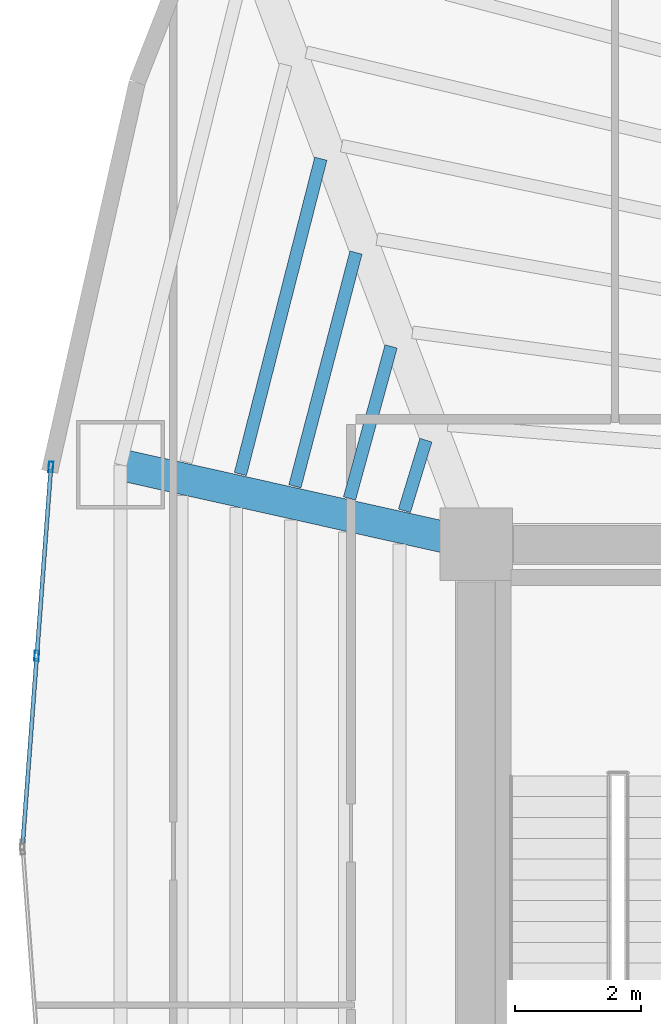
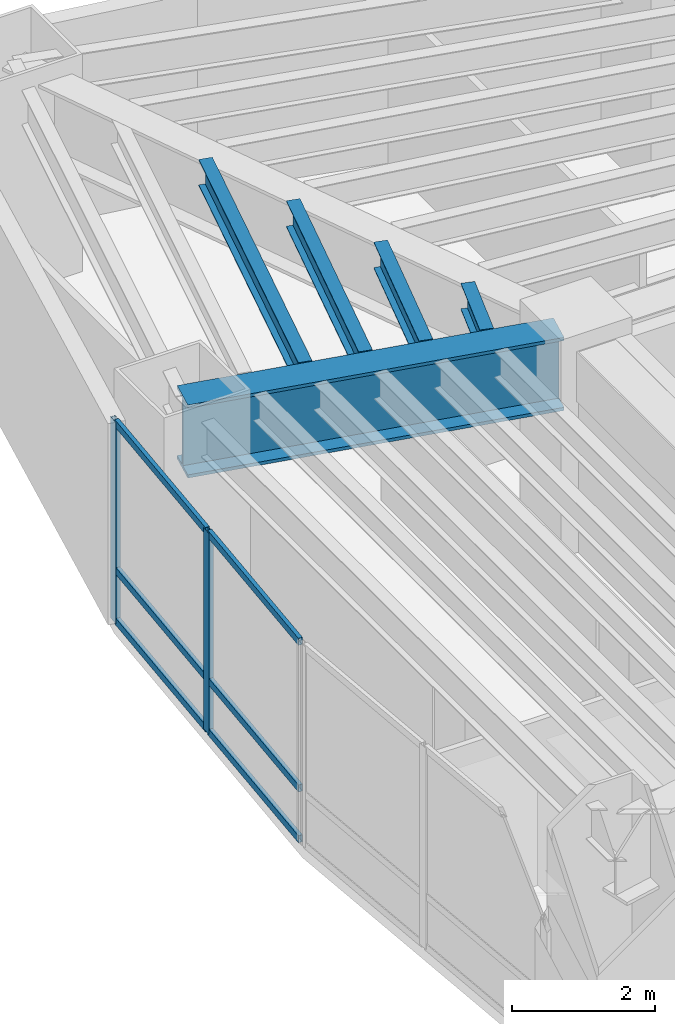
# One storey, part 7 of 18: 8 members, 5 beams, 1 element without a shape of its own.
"""IFC4 building model written with IfcOpenShell, lengths in metres."""

from ifc_helpers import new_model, si_unit, direction, frame, origin, origin_2d, place, context, subcontext, project, spatial, hollow_rectangle, i_section, extrude, material, layer, layer_set, material_profile, profile_set, type_object, element, aggregate, save


model = new_model("IFC4")

# Units and contexts
model_context = context("Model", 3, precision=1e-05, world=origin(), true_north=direction((0.0, 1.0)))
body_context = subcontext(model_context, "Body", "Model", "MODEL_VIEW")
ifc_project = project(units=[si_unit("LENGTHUNIT", "METRE"), si_unit("AREAUNIT", "SQUARE_METRE"), si_unit("VOLUMEUNIT", "CUBIC_METRE"), si_unit("PLANEANGLEUNIT", "RADIAN"), si_unit("MASSUNIT", "GRAM", prefix="KILO")], contexts=[model_context])

# Site, building, storey
site_placement = place(None, origin())
site = spatial("IfcSite", under=ifc_project, at=site_placement, CompositionType="ELEMENT")
building_placement = place(site_placement, origin())
building = spatial("IfcBuilding", under=site, at=building_placement, Name="Menara Vayukalpa", CompositionType="ELEMENT")
storey_placement = place(building_placement, frame((0.0, 0.0, 53.639892578125)))
storey = spatial("IfcBuildingStorey", under=building, at=storey_placement, Name="L12", CompositionType="ELEMENT", Elevation=53.639892578125)

# Beams
ifc_material_1 = material(Name="Steel S355", Category="steel")
ifc_material_profile_1 = material_profile(ifc_material_1, i_section(OverallWidth=0.199951171875, OverallDepth=0.449951171875, WebThickness=0.009033203125, FlangeThickness=0.013916015625, at=origin_2d()), Name="WF 450x200x9x14")
ifc_profile_set_1 = profile_set([ifc_material_profile_1], Name="Steel S355")
beam_type_1 = type_object("IfcBeamType", Name="BM-SJ1", PredefinedType="JOIST", material=ifc_profile_set_1)
beam_1_placement = place(storey_placement, frame((17.00439453125, 28.44970703125, 3.215087890625), z_axis=(-0.290713461984, -0.956810160388, 0.0), x_axis=(0.956810160388, -0.290713461984, 0.0)))
element("IfcBeam", 1, at=beam_1_placement, inside=storey, type_object=beam_type_1, Name="L12 Secondary Floor Joist SJ04-1", PredefinedType="JOIST", context=body_context, shape_type="SweptSolid", body=[
    extrude(i_section(OverallWidth=0.199951171875, OverallDepth=0.449951171875, WebThickness=0.009033203125, FlangeThickness=0.013916015625, at=origin_2d()), origin(), (0.0, 0.0, 1.0), 1.170654296875),
])
beam_2_placement = place(storey_placement, frame((16.452880859375, 29.935791015625, 3.215087890625), z_axis=(-0.26362151681, -0.964626194893, 0.0), x_axis=(0.964626194893, -0.26362151681, 0.0)))
element("IfcBeam", 2, at=beam_2_placement, inside=storey, type_object=beam_type_1, Name="L12 Secondary Floor Joist SJ04-2", PredefinedType="JOIST", context=body_context, shape_type="SweptSolid", body=[
    extrude(i_section(OverallWidth=0.199951171875, OverallDepth=0.449951171875, WebThickness=0.009033203125, FlangeThickness=0.013916015625, at=origin_2d()), origin(), (0.0, 0.0, 1.0), 2.49951171875),
])
beam_3_placement = place(storey_placement, frame((15.896484375, 31.423095703125, 3.215087890625), z_axis=(-0.252798216169, -0.967519024052, 0.0), x_axis=(0.967519024052, -0.252798216169, 0.0)))
element("IfcBeam", 3, at=beam_3_placement, inside=storey, type_object=beam_type_1, Name="L12 Secondary Floor Joist SJ04-3", PredefinedType="JOIST", context=body_context, shape_type="SweptSolid", body=[
    extrude(i_section(OverallWidth=0.199951171875, OverallDepth=0.449951171875, WebThickness=0.009033203125, FlangeThickness=0.013916015625, at=origin_2d()), origin(), (0.0, 0.0, 1.0), 3.8291015625),
])
beam_4_placement = place(storey_placement, frame((15.339111328125, 32.91064453125, 3.215087890625), z_axis=(-0.247120456018, -0.968984767794, 0.0), x_axis=(0.968984767794, -0.247120456018, 0.0)))
element("IfcBeam", 4, at=beam_4_placement, inside=storey, type_object=beam_type_1, Name="L12 Secondary Floor Joist SJ04-4", PredefinedType="JOIST", context=body_context, shape_type="SweptSolid", body=[
    extrude(i_section(OverallWidth=0.199951171875, OverallDepth=0.449951171875, WebThickness=0.009033203125, FlangeThickness=0.013916015625, at=origin_2d()), origin(), (0.0, 0.0, 1.0), 5.158935546875),
])
ifc_material_2 = material(Name="Steel S460", Category="steel")
ifc_material_profile_2 = material_profile(ifc_material_2, i_section(OverallWidth=0.5, OverallDepth=1.25, WebThickness=0.028076171875, FlangeThickness=0.054931640625, at=origin_2d()), Name="WG 1250x500x28x55")
ifc_profile_set_2 = profile_set([ifc_material_profile_2], Name="Steel S460")
beam_type_2 = type_object("IfcBeamType", Name="BM-TG2", PredefinedType="BEAM", material=ifc_profile_set_2)
beam_5_placement = place(storey_placement, frame((17.555908203125, 26.8544921875, 2.815185546875), z_axis=(-0.975920137818, 0.218128138031, 0.0), x_axis=(-0.218128138031, -0.975920137818, 0.0)))
element("IfcBeam", 5, at=beam_5_placement, inside=storey, type_object=beam_type_2, Name="L12 Primary Radial Girder RG05", PredefinedType="BEAM", context=body_context, shape_type="SweptSolid", body=[
    extrude(i_section(OverallWidth=0.5, OverallDepth=1.25, WebThickness=0.028076171875, FlangeThickness=0.054931640625, at=origin_2d()), origin(), (0.0, 0.0, 1.0), 5.524658203125),
])

# Curtain wall, members
ifc_material_3 = material(Name="Anodised Terracotta Aluminium Alloy 6063-T6", Category="masonry")
ifc_layer = layer(ifc_material_3, 0.1650390625)
ifc_layer_set = layer_set([ifc_layer], Name="Anodised Terracotta Aluminium Alloy 6063-T6")
curtain_wall_type = type_object("IfcCurtainWallType", Name="CW-CW2", PredefinedType="USERDEFINED", material=ifc_layer_set)
curtain_wall_placement = place(storey_placement, origin())
curtain_wall = element("IfcCurtainWall", 6, at=curtain_wall_placement, inside=storey, type_object=curtain_wall_type, Name="L12 Low Rise Terracotta Ribbon Curtain Wall CW2 10", ObjectType="UNITISED", PredefinedType="USERDEFINED")
ifc_material_4 = material(Name="Anodised Terracotta Aluminium Alloy 6063-T6", Category="masonry")
ifc_material_profile_3 = material_profile(ifc_material_4, hollow_rectangle(XDim=0.070068359375, YDim=0.1650390625, WallThickness=0.00390625, at=origin_2d()), Name="ALU 70x165x4")
ifc_profile_set_3 = profile_set([ifc_material_profile_3], Name="Anodised Terracotta Aluminium Alloy 6063-T6")
member_type_1 = type_object("IfcMemberType", Name="CWM-CW2", PredefinedType="MULLION", material=ifc_profile_set_3)
member_1_placement = place(storey_placement, frame((11.0615234375, 28.024658203125, 0.0), z_axis=(0.0, 0.0, 1.0), x_axis=(0.997198941676, -0.074794857576, 0.0)))
member_1 = element("IfcMember", 7, at=member_1_placement, type_object=member_type_1, Name="CW2 mullion 1", PredefinedType="MULLION", context=body_context, shape_type="SweptSolid", body=[
    extrude(hollow_rectangle(XDim=0.070068359375, YDim=0.1650390625, WallThickness=0.00390625, at=origin_2d()), origin(), (0.0, 0.0, 1.0), 3.440185546875),
])
member_2_placement = place(storey_placement, frame((10.8369140625, 25.02978515625, 0.0), z_axis=(0.0, 0.0, 1.0), x_axis=(0.997198941676, -0.074794857576, 0.0)))
member_2 = element("IfcMember", 8, at=member_2_placement, type_object=member_type_1, Name="CW2 mullion 2", PredefinedType="MULLION", context=body_context, shape_type="SweptSolid", body=[
    extrude(hollow_rectangle(XDim=0.070068359375, YDim=0.1650390625, WallThickness=0.00390625, at=origin_2d()), origin(), (0.0, 0.0, 1.0), 3.440185546875),
])
ifc_material_5 = material(Name="Anodised Terracotta Aluminium Alloy 6063-T6", Category="masonry")
ifc_material_profile_4 = material_profile(ifc_material_5, hollow_rectangle(XDim=0.06494140625, YDim=0.1201171875, WallThickness=0.00341796875, at=origin_2d()), Name="ALU 65x120x3.5")
ifc_profile_set_4 = profile_set([ifc_material_profile_4], Name="Anodised Terracotta Aluminium Alloy 6063-T6")
member_type_2 = type_object("IfcMemberType", Name="CWT-CW2", PredefinedType="USERDEFINED", material=ifc_profile_set_4)
member_3_placement = place(storey_placement, frame((11.05908203125, 27.98974609375, 0.03271484375), z_axis=(-0.074825123723, -0.997196671103, 0.0), x_axis=(0.997196671103, -0.074825123723, 0.0)))
member_3 = element("IfcMember", 9, at=member_3_placement, type_object=member_type_2, Name="CW2 transom 1.1", ObjectType="TRANSOM", PredefinedType="USERDEFINED", context=body_context, shape_type="SweptSolid", body=[
    extrude(hollow_rectangle(XDim=0.06494140625, YDim=0.1201171875, WallThickness=0.00341796875, at=origin_2d()), origin(), (0.0, 0.0, 1.0), 2.933349609375),
])
member_4_placement = place(storey_placement, frame((11.05908203125, 27.98974609375, 0.900146484375), z_axis=(-0.074825123723, -0.997196671103, 0.0), x_axis=(0.997196671103, -0.074825123723, 0.0)))
member_4 = element("IfcMember", 10, at=member_4_placement, type_object=member_type_2, Name="CW2 transom 1.2", ObjectType="TRANSOM", PredefinedType="USERDEFINED", context=body_context, shape_type="SweptSolid", body=[
    extrude(hollow_rectangle(XDim=0.06494140625, YDim=0.1201171875, WallThickness=0.00341796875, at=origin_2d()), origin(), (0.0, 0.0, 1.0), 2.933349609375),
])
member_5_placement = place(storey_placement, frame((11.05908203125, 27.98974609375, 3.40771484375), z_axis=(-0.074825123723, -0.997196671103, 0.0), x_axis=(0.997196671103, -0.074825123723, 0.0)))
member_5 = element("IfcMember", 11, at=member_5_placement, type_object=member_type_2, Name="CW2 transom 1.3", ObjectType="TRANSOM", PredefinedType="USERDEFINED", context=body_context, shape_type="SweptSolid", body=[
    extrude(hollow_rectangle(XDim=0.06494140625, YDim=0.1201171875, WallThickness=0.00341796875, at=origin_2d()), origin(), (0.0, 0.0, 1.0), 2.933349609375),
])
member_6_placement = place(storey_placement, frame((10.834228515625, 24.994873046875, 0.03271484375), z_axis=(-0.074742357441, -0.997202878057, 0.0), x_axis=(0.997202878057, -0.074742357441, 0.0)))
member_6 = element("IfcMember", 12, at=member_6_placement, type_object=member_type_2, Name="CW2 transom 2.1", ObjectType="TRANSOM", PredefinedType="USERDEFINED", context=body_context, shape_type="SweptSolid", body=[
    extrude(hollow_rectangle(XDim=0.06494140625, YDim=0.1201171875, WallThickness=0.00341796875, at=origin_2d()), origin(), (0.0, 0.0, 1.0), 2.933349609375),
])
member_7_placement = place(storey_placement, frame((10.834228515625, 24.994873046875, 0.900146484375), z_axis=(-0.074742357441, -0.997202878057, 0.0), x_axis=(0.997202878057, -0.074742357441, 0.0)))
member_7 = element("IfcMember", 13, at=member_7_placement, type_object=member_type_2, Name="CW2 transom 2.2", ObjectType="TRANSOM", PredefinedType="USERDEFINED", context=body_context, shape_type="SweptSolid", body=[
    extrude(hollow_rectangle(XDim=0.06494140625, YDim=0.1201171875, WallThickness=0.00341796875, at=origin_2d()), origin(), (0.0, 0.0, 1.0), 2.933349609375),
])
member_8_placement = place(storey_placement, frame((10.834228515625, 24.994873046875, 3.40771484375), z_axis=(-0.074742357441, -0.997202878057, 0.0), x_axis=(0.997202878057, -0.074742357441, 0.0)))
member_8 = element("IfcMember", 14, at=member_8_placement, type_object=member_type_2, Name="CW2 transom 2.3", ObjectType="TRANSOM", PredefinedType="USERDEFINED", context=body_context, shape_type="SweptSolid", body=[
    extrude(hollow_rectangle(XDim=0.06494140625, YDim=0.1201171875, WallThickness=0.00341796875, at=origin_2d()), origin(), (0.0, 0.0, 1.0), 2.933349609375),
])
aggregate(curtain_wall, [member_1, member_2, member_3, member_4, member_5, member_6, member_7, member_8])

save(model, "model.ifc")
